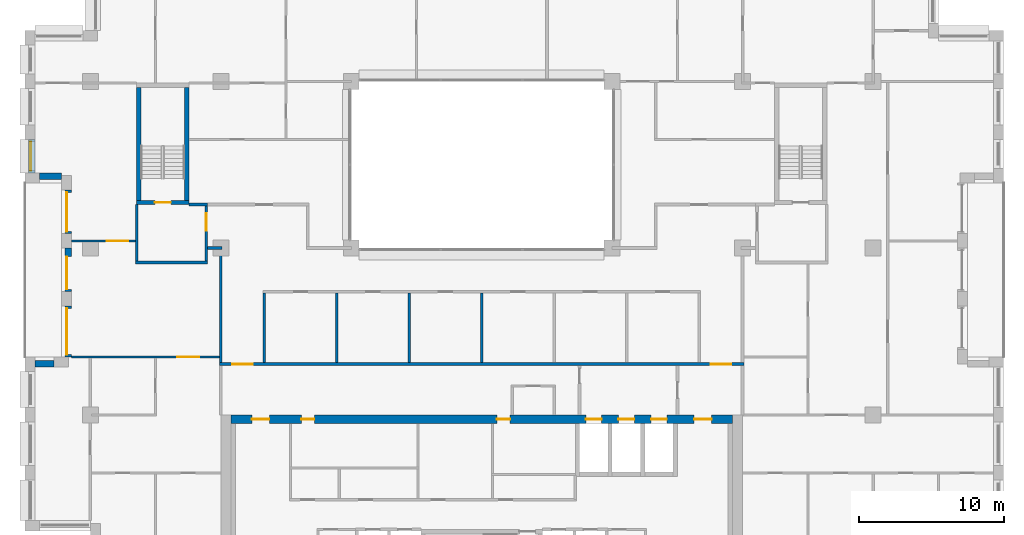
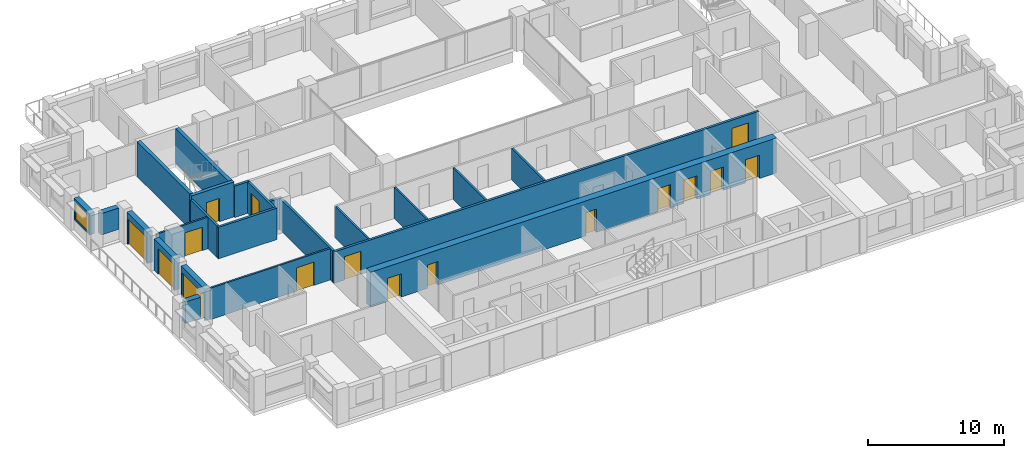
# One storey, part 9 of 15: 23 walls, 16 doors, 1 window, 17 openings.
"""IFC4 building model written with IfcOpenShell, lengths in metres."""

from ifc_helpers import new_model, si_unit, direction, frame, frame_2d, origin, place, context, subcontext, project, spatial, rectangle, extrude, material, layer, layer_set, type_object, element, fill, save


model = new_model("IFC4")

# Units and contexts
model_context = context("Model", 3, precision=1e-05, world=origin(), true_north=direction((0.0, 1.0)))
body_context = subcontext(model_context, "Body", "Model", "MODEL_VIEW")
ifc_project = project(units=[si_unit("LENGTHUNIT", "METRE"), si_unit("AREAUNIT", "SQUARE_METRE"), si_unit("VOLUMEUNIT", "CUBIC_METRE"), si_unit("PLANEANGLEUNIT", "RADIAN"), si_unit("MASSUNIT", "GRAM", prefix="KILO")], contexts=[model_context])

# Site, building, storey
site_placement = place(None, origin())
site = spatial("IfcSite", under=ifc_project, at=site_placement, CompositionType="ELEMENT")
building_placement = place(site_placement, origin())
building = spatial("IfcBuilding", under=site, at=building_placement, Name="Brigalow Station Residences", CompositionType="ELEMENT")
storey_placement = place(building_placement, frame((0.0, 0.0, 153.89990234375)))
storey = spatial("IfcBuildingStorey", under=building, at=storey_placement, Name="L44", CompositionType="ELEMENT", Elevation=153.89990234375)

# Wall, opening, window
ifc_material_1 = material(Name="Clay brick masonry", Category="masonry")
ifc_layer_1 = layer(ifc_material_1, 0.449951171875)
ifc_layer_set_1 = layer_set([ifc_layer_1], Name="BRICK INFILL WALL 450")
wall_type_1 = type_object("IfcWallType", Name="BRICK INFILL WALL 450", PredefinedType="SOLIDWALL", material=ifc_layer_set_1)
wall_1_placement = place(storey_placement, frame((4.97509765625, 31.5, 0.900146484375), z_axis=(0.0, 0.0, 1.0), x_axis=(0.0, -1.0, 0.0)))
wall_1 = element("IfcWall", 1, at=wall_1_placement, inside=storey, type_object=wall_type_1, Name="L44/ewall/W-L44-39", PredefinedType="SOLIDWALL", context=body_context, shape_type="SweptSolid", body=[
    extrude(rectangle(XDim=2.300048828125, YDim=0.449951171875, at=frame_2d((1.14990234375, 0.0))), origin(), (0.0, 0.0, 1.0), 1.929931640625),
])
opening_1_placement = place(wall_1_placement, frame((0.14990234375, 0.0, 0.14990234375)))
opening_1 = element("IfcOpeningElement", 2, at=opening_1_placement, cuts=wall_1, Name="Opening WT-7", PredefinedType="OPENING", context=body_context, shape_type="SweptSolid", body=[
    extrude(rectangle(XDim=2.0, YDim=1.5, at=frame_2d((1.0, 0.75))), frame((0.0, 0.23486328125, 0.0), z_axis=(0.0, -1.0, 0.0), x_axis=(1.0, 0.0, 0.0)), (0.0, 0.0, 1.0), 0.469970703125),
])
ifc_material_2 = material(Name="Anodised aluminium frame with double glazing", Category="aluminium")
window_type = type_object("IfcWindowType", Name="WINDOW 2000x1500", PartitioningType="SINGLE_PANEL", PredefinedType="WINDOW", material=ifc_material_2)
window_placement = place(opening_1_placement, origin())
window = element("IfcWindow", 3, at=window_placement, inside=storey, type_object=window_type, Name="L44/window/W-L44-39", OverallHeight=1.5, OverallWidth=2.0, PartitioningType="SINGLE_PANEL", PredefinedType="WINDOW", context=body_context, shape_type="SweptSolid", body=[
    extrude(rectangle(XDim=2.0, YDim=1.5, at=frame_2d((1.0, 0.75))), frame((0.0, -0.06494140625, 0.0), z_axis=(0.0, -1.0, 0.0), x_axis=(1.0, 0.0, 0.0)), (0.0, 0.0, 1.0), 0.06005859375),
])
fill(opening_1, window)

# Wall
wall_2_placement = place(storey_placement, frame((5.5, 28.97509765625, 0.900146484375), z_axis=(0.0, 0.0, 1.0), x_axis=(1.0, 0.0, 0.0)))
element("IfcWall", 4, at=wall_2_placement, inside=storey, type_object=wall_type_1, Name="L44/ewall/W-L44-40", PredefinedType="SOLIDWALL", context=body_context, shape_type="SweptSolid", body=[
    extrude(rectangle(XDim=1.5, YDim=0.449951171875, at=frame_2d((0.75, 0.0))), origin(), (0.0, 0.0, 1.0), 1.929931640625),
])

# Wall, opening, door
wall_3_placement = place(storey_placement, frame((7.47509765625, 28.0, 0.0), z_axis=(0.0, 0.0, 1.0), x_axis=(0.0, -1.0, 0.0)))
wall_3 = element("IfcWall", 5, at=wall_3_placement, inside=storey, type_object=wall_type_1, Name="L44/ewall/W-L44-41", PredefinedType="SOLIDWALL", context=body_context, shape_type="SweptSolid", body=[
    extrude(rectangle(XDim=3.0, YDim=0.449951171875, at=frame_2d((1.5, 0.0))), origin(), (0.0, 0.0, 1.0), 2.830078125),
])
opening_2_placement = place(wall_3_placement, frame((0.14990234375, 0.0, 0.0)))
opening_2 = element("IfcOpeningElement", 6, at=opening_2_placement, cuts=wall_3, Name="Opening D-B2700", PredefinedType="OPENING", context=body_context, shape_type="SweptSolid", body=[
    extrude(rectangle(XDim=2.699951171875, YDim=2.300048828125, at=frame_2d((1.35009765625, 1.14990234375))), frame((0.0, 0.23486328125, 0.0), z_axis=(0.0, -1.0, 0.0), x_axis=(1.0, 0.0, 0.0)), (0.0, 0.0, 1.0), 0.469970703125),
])
ifc_material_3 = material(Name="Anodised aluminium frame with double glazing", Category="aluminium")
door_type_1 = type_object("IfcDoorType", Name="BALCONY SLIDING DOOR 2700x2300", OperationType="SLIDING_TO_LEFT", PredefinedType="DOOR", material=ifc_material_3)
door_1_placement = place(opening_2_placement, origin())
door_1 = element("IfcDoor", 7, at=door_1_placement, inside=storey, type_object=door_type_1, Name="L44/balcony-door/W-L44-41", OperationType="SLIDING_TO_LEFT", OverallHeight=2.300048828125, OverallWidth=2.699951171875, PredefinedType="DOOR", context=body_context, shape_type="SweptSolid", body=[
    extrude(rectangle(XDim=2.699951171875, YDim=2.300048828125, at=frame_2d((1.35009765625, 1.14990234375))), frame((0.0, -0.06982421875, 0.0), z_axis=(0.0, -1.0, 0.0), x_axis=(1.0, 0.0, 0.0)), (0.0, 0.0, 1.0), 0.050048828125),
])
fill(opening_2, door_1)

wall_4_placement = place(storey_placement, frame((7.47509765625, 24.0, 0.0), z_axis=(0.0, 0.0, 1.0), x_axis=(0.0, -1.0, 0.0)))
wall_4 = element("IfcWall", 8, at=wall_4_placement, inside=storey, type_object=wall_type_1, Name="L44/ewall/W-L44-42", PredefinedType="SOLIDWALL", context=body_context, shape_type="SweptSolid", body=[
    extrude(rectangle(XDim=3.0, YDim=0.449951171875, at=frame_2d((1.5, 0.0))), origin(), (0.0, 0.0, 1.0), 2.830078125),
])
opening_3_placement = place(wall_4_placement, frame((0.5849609375, 0.0, 0.0)))
opening_3 = element("IfcOpeningElement", 9, at=opening_3_placement, cuts=wall_4, Name="Opening D-B2250", PredefinedType="OPENING", context=body_context, shape_type="SweptSolid", body=[
    extrude(rectangle(XDim=2.25, YDim=2.300048828125, at=frame_2d((1.125, 1.14990234375))), frame((0.0, 0.23486328125, 0.0), z_axis=(0.0, -1.0, 0.0), x_axis=(1.0, 0.0, 0.0)), (0.0, 0.0, 1.0), 0.469970703125),
])
ifc_material_4 = material(Name="Anodised aluminium frame with double glazing", Category="aluminium")
door_type_2 = type_object("IfcDoorType", Name="BALCONY SLIDING DOOR 2250x2300", OperationType="SLIDING_TO_LEFT", PredefinedType="DOOR", material=ifc_material_4)
door_2_placement = place(opening_3_placement, origin())
door_2 = element("IfcDoor", 10, at=door_2_placement, inside=storey, type_object=door_type_2, Name="L44/balcony-door/W-L44-42", OperationType="SLIDING_TO_LEFT", OverallHeight=2.300048828125, OverallWidth=2.25, PredefinedType="DOOR", context=body_context, shape_type="SweptSolid", body=[
    extrude(rectangle(XDim=2.25, YDim=2.300048828125, at=frame_2d((1.125, 1.14990234375))), frame((0.0, -0.06982421875, 0.0), z_axis=(0.0, -1.0, 0.0), x_axis=(1.0, 0.0, 0.0)), (0.0, 0.0, 1.0), 0.050048828125),
])
fill(opening_3, door_2)

wall_5_placement = place(storey_placement, frame((7.47509765625, 20.0, 0.0), z_axis=(0.0, 0.0, 1.0), x_axis=(0.0, -1.0, 0.0)))
wall_5 = element("IfcWall", 11, at=wall_5_placement, inside=storey, type_object=wall_type_1, Name="L44/ewall/W-L44-43", PredefinedType="SOLIDWALL", context=body_context, shape_type="SweptSolid", body=[
    extrude(rectangle(XDim=3.5, YDim=0.449951171875, at=frame_2d((1.75, 0.0))), origin(), (0.0, 0.0, 1.0), 2.830078125),
])
opening_4_placement = place(wall_5_placement, frame((0.14990234375, 0.0, 0.0)))
opening_4 = element("IfcOpeningElement", 12, at=opening_4_placement, cuts=wall_5, Name="Opening D-B3200", PredefinedType="OPENING", context=body_context, shape_type="SweptSolid", body=[
    extrude(rectangle(XDim=3.199951171875, YDim=2.300048828125, at=frame_2d((1.60009765625, 1.14990234375))), frame((0.0, 0.23486328125, 0.0), z_axis=(0.0, -1.0, 0.0), x_axis=(1.0, 0.0, 0.0)), (0.0, 0.0, 1.0), 0.469970703125),
])
ifc_material_5 = material(Name="Anodised aluminium frame with double glazing", Category="aluminium")
door_type_3 = type_object("IfcDoorType", Name="BALCONY SLIDING DOOR 3200x2300", OperationType="SLIDING_TO_LEFT", PredefinedType="DOOR", material=ifc_material_5)
door_3_placement = place(opening_4_placement, origin())
door_3 = element("IfcDoor", 13, at=door_3_placement, inside=storey, type_object=door_type_3, Name="L44/balcony-door/W-L44-43", OperationType="SLIDING_TO_LEFT", OverallHeight=2.300048828125, OverallWidth=3.199951171875, PredefinedType="DOOR", context=body_context, shape_type="SweptSolid", body=[
    extrude(rectangle(XDim=3.199951171875, YDim=2.300048828125, at=frame_2d((1.60009765625, 1.14990234375))), frame((0.0, -0.06982421875, 0.0), z_axis=(0.0, -1.0, 0.0), x_axis=(1.0, 0.0, 0.0)), (0.0, 0.0, 1.0), 0.050048828125),
])
fill(opening_4, door_3)

# Wall
wall_6_placement = place(storey_placement, frame((6.5, 16.02490234375, 0.900146484375), z_axis=(0.0, 0.0, 1.0), x_axis=(-1.0, 0.0, 0.0)))
element("IfcWall", 14, at=wall_6_placement, inside=storey, type_object=wall_type_1, Name="L44/ewall/W-L44-44", PredefinedType="SOLIDWALL", context=body_context, shape_type="SweptSolid", body=[
    extrude(rectangle(XDim=1.300048828125, YDim=0.449951171875, at=frame_2d((0.64990234375, 0.0))), origin(), (0.0, 0.0, 1.0), 1.929931640625),
])

# Wall, opening, door
ifc_material_6 = material(Name="Concrete C65", Category="concrete")
ifc_layer_2 = layer(ifc_material_6, 0.300048828125)
ifc_layer_set_2 = layer_set([ifc_layer_2], Name="CORE SHEAR WALL 300 C65")
wall_type_2 = type_object("IfcWallType", Name="CORE SHEAR WALL 300 C65", PredefinedType="SHEAR", material=ifc_layer_set_2)
wall_7_placement = place(storey_placement, frame((12.199951171875, 27.14990234375, 0.0), z_axis=(0.0, 0.0, 1.0), x_axis=(1.0, 0.0, 0.0)))
wall_7 = element("IfcWall", 15, at=wall_7_placement, inside=storey, type_object=wall_type_2, Name="CORE WALL ST-S1-S L44", PredefinedType="SHEAR", context=body_context, shape_type="SweptSolid", body=[
    extrude(rectangle(XDim=3.60009765625, YDim=0.300048828125, at=frame_2d((1.800048828125, 0.0))), origin(), (0.0, 0.0, 1.0), 3.150146484375),
])
opening_5_placement = place(wall_7_placement, frame((1.25, 0.0, 0.0)))
opening_5 = element("IfcOpeningElement", 16, at=opening_5_placement, cuts=wall_7, Name="Opening D-5015", PredefinedType="OPENING", context=body_context, shape_type="SweptSolid", body=[
    extrude(rectangle(XDim=1.10009765625, YDim=2.10009765625, at=frame_2d((0.550048828125, 1.050048828125))), frame((0.0, 0.16015625, 0.0), z_axis=(0.0, -1.0, 0.0), x_axis=(1.0, 0.0, 0.0)), (0.0, 0.0, 1.0), 0.320068359375),
])
ifc_material_7 = material(Name="Steel fire door leaf in steel frame", Category="steel")
door_type_4 = type_object("IfcDoorType", Name="STAIR DOOR 1100 x 2100 FD60S", OperationType="SINGLE_SWING_LEFT", PredefinedType="DOOR", material=ifc_material_7)
door_4_placement = place(opening_5_placement, origin())
door_4 = element("IfcDoor", 17, at=door_4_placement, inside=storey, type_object=door_type_4, Name="D-5015", OperationType="SINGLE_SWING_LEFT", OverallHeight=2.10009765625, OverallWidth=1.10009765625, PredefinedType="DOOR", context=body_context, shape_type="SweptSolid", body=[
    extrude(rectangle(XDim=1.10009765625, YDim=2.10009765625, at=frame_2d((0.550048828125, 1.050048828125))), frame((0.0, 0.02490234375, 0.0), z_axis=(0.0, -1.0, 0.0), x_axis=(1.0, 0.0, 0.0)), (0.0, 0.0, 1.0), 0.050048828125),
])
fill(opening_5, door_4)

# Walls
for number, where, z_axis, x_axis, name in (
    (18, (12.35009765625, 27.300048828125, 0.0), (0.0, 0.0, 1.0), (0.0, 1.0, 0.0), "CORE WALL ST-S1-W L44"),
    (19, (15.64990234375, 27.300048828125, 0.0), (0.0, 0.0, 1.0), (0.0, 1.0, 0.0), "CORE WALL ST-S1-E L44"),
):
    element("IfcWall", number, at=place(storey_placement, frame(where, z_axis=z_axis, x_axis=x_axis)), inside=storey, type_object=wall_type_2, Name=name, PredefinedType="SHEAR", context=body_context, shape_type="SweptSolid", body=[
        extrude(rectangle(XDim=7.800048828125, YDim=0.300048828125, at=frame_2d((3.89990234375, 0.0))), origin(), (0.0, 0.0, 1.0), 3.150146484375),
    ])

# Wall, openings, doors
ifc_material_8 = material(Name="Concrete C65", Category="concrete")
ifc_layer_3 = layer(ifc_material_8, 0.60009765625)
ifc_layer_set_3 = layer_set([ifc_layer_3], Name="CORE SHEAR WALL 600 C65")
wall_type_3 = type_object("IfcWallType", Name="CORE SHEAR WALL 600 C65", PredefinedType="SHEAR", material=ifc_layer_set_3)
wall_8_placement = place(storey_placement, frame((18.699951171875, 12.199951171875, 0.0), z_axis=(0.0, 0.0, 1.0), x_axis=(1.0, 0.0, 0.0)))
wall_8 = element("IfcWall", 20, at=wall_8_placement, inside=storey, type_object=wall_type_3, Name="CORE WALL OUT-N L44", PredefinedType="SHEAR", context=body_context, shape_type="SweptSolid", body=[
    extrude(rectangle(XDim=34.60009765625, YDim=0.60009765625, at=frame_2d((17.300048828125, 0.0))), origin(), (0.0, 0.0, 1.0), 3.150146484375),
])
opening_6_placement = place(wall_8_placement, frame((24.47509765625, 0.0, 0.0)))
opening_6 = element("IfcOpeningElement", 21, at=opening_6_placement, cuts=wall_8, Name="Opening LD-LF1", PredefinedType="OPENING", context=body_context, shape_type="SweptSolid", body=[
    extrude(rectangle(XDim=1.10009765625, YDim=2.10009765625, at=frame_2d((0.550048828125, 1.050048828125))), frame((0.0, 0.31005859375, 0.0), z_axis=(0.0, -1.0, 0.0), x_axis=(1.0, 0.0, 0.0)), (0.0, 0.0, 1.0), 0.6201171875),
])
opening_7_placement = place(wall_8_placement, frame((26.72509765625, 0.0, 0.0)))
opening_7 = element("IfcOpeningElement", 22, at=opening_7_placement, cuts=wall_8, Name="Opening LD-LF2", PredefinedType="OPENING", context=body_context, shape_type="SweptSolid", body=[
    extrude(rectangle(XDim=1.10009765625, YDim=2.10009765625, at=frame_2d((0.550048828125, 1.050048828125))), frame((0.0, 0.31005859375, 0.0), z_axis=(0.0, -1.0, 0.0), x_axis=(1.0, 0.0, 0.0)), (0.0, 0.0, 1.0), 0.6201171875),
])
opening_8_placement = place(wall_8_placement, frame((28.97509765625, 0.0, 0.0)))
opening_8 = element("IfcOpeningElement", 23, at=opening_8_placement, cuts=wall_8, Name="Opening LD-LG1", PredefinedType="OPENING", context=body_context, shape_type="SweptSolid", body=[
    extrude(rectangle(XDim=1.10009765625, YDim=2.10009765625, at=frame_2d((0.550048828125, 1.050048828125))), frame((0.0, 0.31005859375, 0.0), z_axis=(0.0, -1.0, 0.0), x_axis=(1.0, 0.0, 0.0)), (0.0, 0.0, 1.0), 0.6201171875),
])
opening_9_placement = place(wall_8_placement, frame((4.85009765625, 0.0, 0.0)))
opening_9 = element("IfcOpeningElement", 24, at=opening_9_placement, cuts=wall_8, Name="Opening D-5118", PredefinedType="OPENING", context=body_context, shape_type="SweptSolid", body=[
    extrude(rectangle(XDim=0.89990234375, YDim=2.10009765625, at=frame_2d((0.449951171875, 1.050048828125))), frame((0.0, 0.31005859375, 0.0), z_axis=(0.0, -1.0, 0.0), x_axis=(1.0, 0.0, 0.0)), (0.0, 0.0, 1.0), 0.6201171875),
])
opening_10_placement = place(wall_8_placement, frame((18.35009765625, 0.0, 0.0)))
opening_10 = element("IfcOpeningElement", 25, at=opening_10_placement, cuts=wall_8, Name="Opening D-5119", PredefinedType="OPENING", context=body_context, shape_type="SweptSolid", body=[
    extrude(rectangle(XDim=0.89990234375, YDim=2.10009765625, at=frame_2d((0.449951171875, 1.050048828125))), frame((0.0, 0.31005859375, 0.0), z_axis=(0.0, -1.0, 0.0), x_axis=(1.0, 0.0, 0.0)), (0.0, 0.0, 1.0), 0.6201171875),
])
opening_11_placement = place(wall_8_placement, frame((1.449951171875, 0.0, 0.0)))
opening_11 = element("IfcOpeningElement", 26, at=opening_11_placement, cuts=wall_8, Name="Opening D-5011", PredefinedType="OPENING", context=body_context, shape_type="SweptSolid", body=[
    extrude(rectangle(XDim=1.199951171875, YDim=2.10009765625, at=frame_2d((0.60009765625, 1.050048828125))), frame((0.0, 0.31005859375, 0.0), z_axis=(0.0, -1.0, 0.0), x_axis=(1.0, 0.0, 0.0)), (0.0, 0.0, 1.0), 0.6201171875),
])
opening_12_placement = place(wall_8_placement, frame((31.949951171875, 0.0, 0.0)))
opening_12 = element("IfcOpeningElement", 27, at=opening_12_placement, cuts=wall_8, Name="Opening D-5012", PredefinedType="OPENING", context=body_context, shape_type="SweptSolid", body=[
    extrude(rectangle(XDim=1.199951171875, YDim=2.10009765625, at=frame_2d((0.60009765625, 1.050048828125))), frame((0.0, 0.31005859375, 0.0), z_axis=(0.0, -1.0, 0.0), x_axis=(1.0, 0.0, 0.0)), (0.0, 0.0, 1.0), 0.6201171875),
])
ifc_material_9 = material(Name="Steel fire door leaf in steel frame", Category="steel")
door_type_5 = type_object("IfcDoorType", Name="CORE CORRIDOR DOOR 1200 x 2100 FD60S", OperationType="SINGLE_SWING_LEFT", PredefinedType="DOOR", material=ifc_material_9)
door_5_placement = place(opening_11_placement, frame((1.199951171875, 0.0, 0.0), z_axis=(0.0, 0.0, 1.0), x_axis=(-1.0, 0.0, 0.0)))
door_5 = element("IfcDoor", 28, at=door_5_placement, inside=storey, type_object=door_type_5, Name="D-5011", OperationType="SINGLE_SWING_LEFT", OverallHeight=2.10009765625, OverallWidth=1.199951171875, PredefinedType="DOOR", context=body_context, shape_type="SweptSolid", body=[
    extrude(rectangle(XDim=1.199951171875, YDim=2.10009765625, at=frame_2d((0.60009765625, 1.050048828125))), frame((0.0, 0.02490234375, 0.0), z_axis=(0.0, -1.0, 0.0), x_axis=(1.0, 0.0, 0.0)), (0.0, 0.0, 1.0), 0.050048828125),
])
fill(opening_11, door_5)
door_6_placement = place(opening_12_placement, frame((1.199951171875, 0.0, 0.0), z_axis=(0.0, 0.0, 1.0), x_axis=(-1.0, 0.0, 0.0)))
door_6 = element("IfcDoor", 29, at=door_6_placement, inside=storey, type_object=door_type_5, Name="D-5012", OperationType="SINGLE_SWING_LEFT", OverallHeight=2.10009765625, OverallWidth=1.199951171875, PredefinedType="DOOR", context=body_context, shape_type="SweptSolid", body=[
    extrude(rectangle(XDim=1.199951171875, YDim=2.10009765625, at=frame_2d((0.60009765625, 1.050048828125))), frame((0.0, 0.02490234375, 0.0), z_axis=(0.0, -1.0, 0.0), x_axis=(1.0, 0.0, 0.0)), (0.0, 0.0, 1.0), 0.050048828125),
])
fill(opening_12, door_6)
ifc_material_10 = material(Name="Stainless steel sliding door leaves", Category="steel")
door_type_6 = type_object("IfcDoorType", Name="LIFT LANDING DOOR 1100 x 2100", OperationType="DOUBLE_DOOR_SLIDING", PredefinedType="DOOR", material=ifc_material_10)
door_7_placement = place(opening_6_placement, origin())
door_7 = element("IfcDoor", 30, at=door_7_placement, inside=storey, type_object=door_type_6, Name="LANDING DOOR LF1", OperationType="DOUBLE_DOOR_SLIDING", OverallHeight=2.10009765625, OverallWidth=1.10009765625, PredefinedType="DOOR", context=body_context, shape_type="SweptSolid", body=[
    extrude(rectangle(XDim=1.10009765625, YDim=2.10009765625, at=frame_2d((0.550048828125, 1.050048828125))), frame((0.0, 0.02490234375, 0.0), z_axis=(0.0, -1.0, 0.0), x_axis=(1.0, 0.0, 0.0)), (0.0, 0.0, 1.0), 0.050048828125),
])
fill(opening_6, door_7)
door_8_placement = place(opening_7_placement, origin())
door_8 = element("IfcDoor", 31, at=door_8_placement, inside=storey, type_object=door_type_6, Name="LANDING DOOR LF2", OperationType="DOUBLE_DOOR_SLIDING", OverallHeight=2.10009765625, OverallWidth=1.10009765625, PredefinedType="DOOR", context=body_context, shape_type="SweptSolid", body=[
    extrude(rectangle(XDim=1.10009765625, YDim=2.10009765625, at=frame_2d((0.550048828125, 1.050048828125))), frame((0.0, 0.02490234375, 0.0), z_axis=(0.0, -1.0, 0.0), x_axis=(1.0, 0.0, 0.0)), (0.0, 0.0, 1.0), 0.050048828125),
])
fill(opening_7, door_8)
door_9_placement = place(opening_8_placement, origin())
door_9 = element("IfcDoor", 32, at=door_9_placement, inside=storey, type_object=door_type_6, Name="LANDING DOOR LG1", OperationType="DOUBLE_DOOR_SLIDING", OverallHeight=2.10009765625, OverallWidth=1.10009765625, PredefinedType="DOOR", context=body_context, shape_type="SweptSolid", body=[
    extrude(rectangle(XDim=1.10009765625, YDim=2.10009765625, at=frame_2d((0.550048828125, 1.050048828125))), frame((0.0, 0.02490234375, 0.0), z_axis=(0.0, -1.0, 0.0), x_axis=(1.0, 0.0, 0.0)), (0.0, 0.0, 1.0), 0.050048828125),
])
fill(opening_8, door_9)
ifc_material_11 = material(Name="Steel door leaf in steel frame", Category="steel")
door_type_7 = type_object("IfcDoorType", Name="SERVICE ROOM DOOR 900 x 2100 FD60", OperationType="SINGLE_SWING_LEFT", PredefinedType="DOOR", material=ifc_material_11)
door_10_placement = place(opening_9_placement, frame((0.89990234375, 0.0, 0.0), z_axis=(0.0, 0.0, 1.0), x_axis=(-1.0, 0.0, 0.0)))
door_10 = element("IfcDoor", 33, at=door_10_placement, inside=storey, type_object=door_type_7, Name="D-5118", OperationType="SINGLE_SWING_RIGHT", OverallHeight=2.10009765625, OverallWidth=0.89990234375, PredefinedType="DOOR", context=body_context, shape_type="SweptSolid", body=[
    extrude(rectangle(XDim=0.89990234375, YDim=2.10009765625, at=frame_2d((0.449951171875, 1.050048828125))), frame((0.0, 0.02490234375, 0.0), z_axis=(0.0, -1.0, 0.0), x_axis=(1.0, 0.0, 0.0)), (0.0, 0.0, 1.0), 0.050048828125),
])
fill(opening_9, door_10)
door_11_placement = place(opening_10_placement, frame((0.89990234375, 0.0, 0.0), z_axis=(0.0, 0.0, 1.0), x_axis=(-1.0, 0.0, 0.0)))
door_11 = element("IfcDoor", 34, at=door_11_placement, inside=storey, type_object=door_type_7, Name="D-5119", OperationType="SINGLE_SWING_RIGHT", OverallHeight=2.10009765625, OverallWidth=0.89990234375, PredefinedType="DOOR", context=body_context, shape_type="SweptSolid", body=[
    extrude(rectangle(XDim=0.89990234375, YDim=2.10009765625, at=frame_2d((0.449951171875, 1.050048828125))), frame((0.0, 0.02490234375, 0.0), z_axis=(0.0, -1.0, 0.0), x_axis=(1.0, 0.0, 0.0)), (0.0, 0.0, 1.0), 0.050048828125),
])
fill(opening_10, door_11)

# Walls
ifc_material_12 = material(Name="Concrete blockwork", Category="masonry")
ifc_layer_4 = layer(ifc_material_12, 0.199951171875)
ifc_layer_set_4 = layer_set([ifc_layer_4], Name="FIRE RATED CORE PARTITION 200")
wall_type_4 = type_object("IfcWallType", Name="FIRE RATED CORE PARTITION 200", PredefinedType="PARTITIONING", material=ifc_layer_set_4)
wall_9_placement = place(storey_placement, frame((12.10009765625, 23.0, 0.0), z_axis=(0.0, 0.0, 1.0), x_axis=(1.0, 0.0, 0.0)))
element("IfcWall", 35, at=wall_9_placement, inside=storey, type_object=wall_type_4, Name="PW-5023", PredefinedType="PARTITIONING", context=body_context, shape_type="SweptSolid", body=[
    extrude(rectangle(XDim=5.0, YDim=0.199951171875, at=frame_2d((2.5, 0.0))), origin(), (0.0, 0.0, 1.0), 2.830078125),
])
wall_10_placement = place(storey_placement, frame((15.800048828125, 27.0, 0.0), z_axis=(0.0, 0.0, 1.0), x_axis=(1.0, 0.0, 0.0)))
element("IfcWall", 36, at=wall_10_placement, inside=storey, type_object=wall_type_4, Name="PW-5025", PredefinedType="PARTITIONING", context=body_context, shape_type="SweptSolid", body=[
    extrude(rectangle(XDim=1.300048828125, YDim=0.199951171875, at=frame_2d((0.64990234375, 0.0))), origin(), (0.0, 0.0, 1.0), 2.830078125),
])
wall_11_placement = place(storey_placement, frame((12.199951171875, 23.10009765625, 0.0), z_axis=(0.0, 0.0, 1.0), x_axis=(0.0, 1.0, 0.0)))
element("IfcWall", 37, at=wall_11_placement, inside=storey, type_object=wall_type_4, Name="PW-5034", PredefinedType="PARTITIONING", context=body_context, shape_type="SweptSolid", body=[
    extrude(rectangle(XDim=3.89990234375, YDim=0.199951171875, at=frame_2d((1.949951171875, 0.0))), origin(), (0.0, 0.0, 1.0), 2.830078125),
])

# Wall, opening, door
wall_12_placement = place(storey_placement, frame((17.0, 23.10009765625, 0.0), z_axis=(0.0, 0.0, 1.0), x_axis=(0.0, 1.0, 0.0)))
wall_12 = element("IfcWall", 38, at=wall_12_placement, inside=storey, type_object=wall_type_4, Name="PW-5035", PredefinedType="PARTITIONING", context=body_context, shape_type="SweptSolid", body=[
    extrude(rectangle(XDim=3.7998046875, YDim=0.199951171875, at=frame_2d((1.89990234375, 0.0))), origin(), (0.0, 0.0, 1.0), 2.830078125),
])
opening_13_placement = place(wall_12_placement, frame((2.10009765625, 0.0, 0.0)))
opening_13 = element("IfcOpeningElement", 39, at=opening_13_placement, cuts=wall_12, Name="Opening D-5016", PredefinedType="OPENING", context=body_context, shape_type="SweptSolid", body=[
    extrude(rectangle(XDim=1.199951171875, YDim=2.10009765625, at=frame_2d((0.60009765625, 1.050048828125))), frame((0.0, 0.10986328125, 0.0), z_axis=(0.0, -1.0, 0.0), x_axis=(1.0, 0.0, 0.0)), (0.0, 0.0, 1.0), 0.219970703125),
])
ifc_material_13 = material(Name="Steel fire door leaf in steel frame", Category="steel")
door_type_8 = type_object("IfcDoorType", Name="STAIR LOBBY DOOR 1200 x 2100 FD60S", OperationType="SINGLE_SWING_LEFT", PredefinedType="DOOR", material=ifc_material_13)
door_12_placement = place(opening_13_placement, origin())
door_12 = element("IfcDoor", 40, at=door_12_placement, inside=storey, type_object=door_type_8, Name="D-5016", OperationType="SINGLE_SWING_RIGHT", OverallHeight=2.10009765625, OverallWidth=1.199951171875, PredefinedType="DOOR", context=body_context, shape_type="SweptSolid", body=[
    extrude(rectangle(XDim=1.199951171875, YDim=2.10009765625, at=frame_2d((0.60009765625, 1.050048828125))), frame((0.0, 0.02490234375, 0.0), z_axis=(0.0, -1.0, 0.0), x_axis=(1.0, 0.0, 0.0)), (0.0, 0.0, 1.0), 0.050048828125),
])
fill(opening_13, door_12)

ifc_material_14 = material(Name="Plasterboard on steel stud partition", Category="steel")
ifc_layer_5 = layer(ifc_material_14, 0.14990234375)
ifc_layer_set_5 = layer_set([ifc_layer_5], Name="FLAT PARTITION 150")
wall_type_5 = type_object("IfcWallType", Name="FLAT PARTITION 150", PredefinedType="PARTITIONING", material=ifc_layer_set_5)
wall_13_placement = place(storey_placement, frame((7.699951171875, 24.5, 0.0), z_axis=(0.0, 0.0, 1.0), x_axis=(1.0, 0.0, 0.0)))
wall_13 = element("IfcWall", 41, at=wall_13_placement, inside=storey, type_object=wall_type_5, Name="PW-3B17", PredefinedType="PARTITIONING", context=body_context, shape_type="SweptSolid", body=[
    extrude(rectangle(XDim=4.400146484375, YDim=0.14990234375, at=frame_2d((2.2001953125, 0.0))), origin(), (0.0, 0.0, 1.0), 2.830078125),
])
opening_14_placement = place(wall_13_placement, frame((2.425048828125, 0.0, 0.0)))
opening_14 = element("IfcOpeningElement", 42, at=opening_14_placement, cuts=wall_13, Name="Opening D-3B11", PredefinedType="OPENING", context=body_context, shape_type="SweptSolid", body=[
    extrude(rectangle(XDim=1.5, YDim=2.10009765625, at=frame_2d((0.75, 1.050048828125))), frame((0.0, 0.0849609375, 0.0), z_axis=(0.0, -1.0, 0.0), x_axis=(1.0, 0.0, 0.0)), (0.0, 0.0, 1.0), 0.169921875),
])
ifc_material_15 = material(Name="Solid-core timber door leaf", Category="wood")
door_type_9 = type_object("IfcDoorType", Name="INTERNAL DOUBLE DOOR 1500 x 2100", OperationType="DOUBLE_DOOR_SINGLE_SWING", PredefinedType="DOOR", material=ifc_material_15)
door_13_placement = place(opening_14_placement, origin())
door_13 = element("IfcDoor", 43, at=door_13_placement, inside=storey, type_object=door_type_9, Name="D-3B11", OperationType="DOUBLE_DOOR_SINGLE_SWING", OverallHeight=2.10009765625, OverallWidth=1.5, PredefinedType="DOOR", context=body_context, shape_type="SweptSolid", body=[
    extrude(rectangle(XDim=1.5, YDim=2.10009765625, at=frame_2d((0.75, 1.050048828125))), frame((0.0, 0.02490234375, 0.0), z_axis=(0.0, -1.0, 0.0), x_axis=(1.0, 0.0, 0.0)), (0.0, 0.0, 1.0), 0.050048828125),
])
fill(opening_14, door_13)

wall_14_placement = place(storey_placement, frame((7.699951171875, 16.5, 0.0), z_axis=(0.0, 0.0, 1.0), x_axis=(1.0, 0.0, 0.0)))
wall_14 = element("IfcWall", 44, at=wall_14_placement, inside=storey, type_object=wall_type_5, Name="PW-3B19", PredefinedType="PARTITIONING", context=body_context, shape_type="SweptSolid", body=[
    extrude(rectangle(XDim=10.199951171875, YDim=0.14990234375, at=frame_2d((5.10009765625, 0.0))), origin(), (0.0, 0.0, 1.0), 2.830078125),
])
opening_15_placement = place(wall_14_placement, frame((7.300048828125, 0.0, 0.0)))
opening_15 = element("IfcOpeningElement", 45, at=opening_15_placement, cuts=wall_14, Name="Opening D-3B12", PredefinedType="OPENING", context=body_context, shape_type="SweptSolid", body=[
    extrude(rectangle(XDim=1.5, YDim=2.10009765625, at=frame_2d((0.75, 1.050048828125))), frame((0.0, 0.0849609375, 0.0), z_axis=(0.0, -1.0, 0.0), x_axis=(1.0, 0.0, 0.0)), (0.0, 0.0, 1.0), 0.169921875),
])
door_14_placement = place(opening_15_placement, frame((1.5, 0.0, 0.0), z_axis=(0.0, 0.0, 1.0), x_axis=(-1.0, 0.0, 0.0)))
door_14 = element("IfcDoor", 46, at=door_14_placement, inside=storey, type_object=door_type_9, Name="D-3B12", OperationType="DOUBLE_DOOR_SINGLE_SWING", OverallHeight=2.10009765625, OverallWidth=1.5, PredefinedType="DOOR", context=body_context, shape_type="SweptSolid", body=[
    extrude(rectangle(XDim=1.5, YDim=2.10009765625, at=frame_2d((0.75, 1.050048828125))), frame((0.0, 0.02490234375, 0.0), z_axis=(0.0, -1.0, 0.0), x_axis=(1.0, 0.0, 0.0)), (0.0, 0.0, 1.0), 0.050048828125),
])
fill(opening_15, door_14)

# Walls
for number, where, z_axis, x_axis, name in (
    (47, (21.0, 16.10009765625, 0.0), (0.0, 0.0, 1.0), (0.0, 1.0, 0.0), "PW-3B30"),
    (48, (26.0, 16.10009765625, 0.0), (0.0, 0.0, 1.0), (0.0, 1.0, 0.0), "PW-3B49"),
    (49, (31.0, 16.10009765625, 0.0), (0.0, 0.0, 1.0), (0.0, 1.0, 0.0), "PW-3B50"),
    (50, (36.0, 16.10009765625, 0.0), (0.0, 0.0, 1.0), (0.0, 1.0, 0.0), "PW-3B51"),
):
    element("IfcWall", number, at=place(storey_placement, frame(where, z_axis=z_axis, x_axis=x_axis)), inside=storey, type_object=wall_type_5, Name=name, PredefinedType="PARTITIONING", context=body_context, shape_type="SweptSolid", body=[
        extrude(rectangle(XDim=4.824951171875, YDim=0.14990234375, at=frame_2d((2.41259765625, 0.0))), origin(), (0.0, 0.0, 1.0), 2.830078125),
    ])
ifc_material_16 = material(Name="Plasterboard on steel stud partition", Category="steel")
ifc_layer_6 = layer(ifc_material_16, 0.199951171875)
ifc_layer_set_6 = layer_set([ifc_layer_6], Name="PARTY AND CORRIDOR WALL 200")
wall_type_6 = type_object("IfcWallType", Name="PARTY AND CORRIDOR WALL 200", PredefinedType="PARTITIONING", material=ifc_layer_set_6)
wall_15_placement = place(storey_placement, frame((17.10009765625, 24.0, 0.0), z_axis=(0.0, 0.0, 1.0), x_axis=(1.0, 0.0, 0.0)))
element("IfcWall", 51, at=wall_15_placement, inside=storey, type_object=wall_type_6, Name="PW-3B01", PredefinedType="PARTITIONING", context=body_context, shape_type="SweptSolid", body=[
    extrude(rectangle(XDim=1.0, YDim=0.199951171875, at=frame_2d((0.5, 0.0))), origin(), (0.0, 0.0, 1.0), 2.830078125),
])

# Wall, openings, doors
wall_16_placement = place(storey_placement, frame((17.89990234375, 16.0, 0.0), z_axis=(0.0, 0.0, 1.0), x_axis=(1.0, 0.0, 0.0)))
wall_16 = element("IfcWall", 52, at=wall_16_placement, inside=storey, type_object=wall_type_6, Name="PW-3B26", PredefinedType="PARTITIONING", context=body_context, shape_type="SweptSolid", body=[
    extrude(rectangle(XDim=36.2001953125, YDim=0.199951171875, at=frame_2d((18.10009765625, 0.0))), origin(), (0.0, 0.0, 1.0), 2.830078125),
])
opening_16_placement = place(wall_16_placement, frame((0.89990234375, 0.0, 0.0)))
opening_16 = element("IfcOpeningElement", 53, at=opening_16_placement, cuts=wall_16, Name="Opening D-3B01", PredefinedType="OPENING", context=body_context, shape_type="SweptSolid", body=[
    extrude(rectangle(XDim=1.39990234375, YDim=2.10009765625, at=frame_2d((0.699951171875, 1.050048828125))), frame((0.0, 0.10986328125, 0.0), z_axis=(0.0, -1.0, 0.0), x_axis=(1.0, 0.0, 0.0)), (0.0, 0.0, 1.0), 0.219970703125),
])
opening_17_placement = place(wall_16_placement, frame((33.89990234375, 0.0, 0.0)))
opening_17 = element("IfcOpeningElement", 54, at=opening_17_placement, cuts=wall_16, Name="Opening D-3B02", PredefinedType="OPENING", context=body_context, shape_type="SweptSolid", body=[
    extrude(rectangle(XDim=1.39990234375, YDim=2.10009765625, at=frame_2d((0.699951171875, 1.050048828125))), frame((0.0, 0.10986328125, 0.0), z_axis=(0.0, -1.0, 0.0), x_axis=(1.0, 0.0, 0.0)), (0.0, 0.0, 1.0), 0.219970703125),
])
ifc_material_17 = material(Name="Solid-core timber door leaf", Category="wood")
door_type_10 = type_object("IfcDoorType", Name="CORRIDOR FIRE DOOR 1400 x 2100 FRL -/60/30", OperationType="DOUBLE_DOOR_SINGLE_SWING", PredefinedType="DOOR", material=ifc_material_17)
door_15_placement = place(opening_16_placement, frame((1.39990234375, 0.0, 0.0), z_axis=(0.0, 0.0, 1.0), x_axis=(-1.0, 0.0, 0.0)))
door_15 = element("IfcDoor", 55, at=door_15_placement, inside=storey, type_object=door_type_10, Name="D-3B01", OperationType="DOUBLE_DOOR_SINGLE_SWING", OverallHeight=2.10009765625, OverallWidth=1.39990234375, PredefinedType="DOOR", context=body_context, shape_type="SweptSolid", body=[
    extrude(rectangle(XDim=1.39990234375, YDim=2.10009765625, at=frame_2d((0.699951171875, 1.050048828125))), frame((0.0, 0.02490234375, 0.0), z_axis=(0.0, -1.0, 0.0), x_axis=(1.0, 0.0, 0.0)), (0.0, 0.0, 1.0), 0.050048828125),
])
fill(opening_16, door_15)
door_16_placement = place(opening_17_placement, frame((1.39990234375, 0.0, 0.0), z_axis=(0.0, 0.0, 1.0), x_axis=(-1.0, 0.0, 0.0)))
door_16 = element("IfcDoor", 56, at=door_16_placement, inside=storey, type_object=door_type_10, Name="D-3B02", OperationType="DOUBLE_DOOR_SINGLE_SWING", OverallHeight=2.10009765625, OverallWidth=1.39990234375, PredefinedType="DOOR", context=body_context, shape_type="SweptSolid", body=[
    extrude(rectangle(XDim=1.39990234375, YDim=2.10009765625, at=frame_2d((0.699951171875, 1.050048828125))), frame((0.0, 0.02490234375, 0.0), z_axis=(0.0, -1.0, 0.0), x_axis=(1.0, 0.0, 0.0)), (0.0, 0.0, 1.0), 0.050048828125),
])
fill(opening_17, door_16)

# Wall
wall_17_placement = place(storey_placement, frame((18.0, 16.10009765625, 0.0), z_axis=(0.0, 0.0, 1.0), x_axis=(0.0, 1.0, 0.0)))
element("IfcWall", 57, at=wall_17_placement, inside=storey, type_object=wall_type_6, Name="PW-3B27", PredefinedType="PARTITIONING", context=body_context, shape_type="SweptSolid", body=[
    extrude(rectangle(XDim=7.7998046875, YDim=0.199951171875, at=frame_2d((3.89990234375, 0.0))), origin(), (0.0, 0.0, 1.0), 2.830078125),
])

save(model, "model.ifc")
